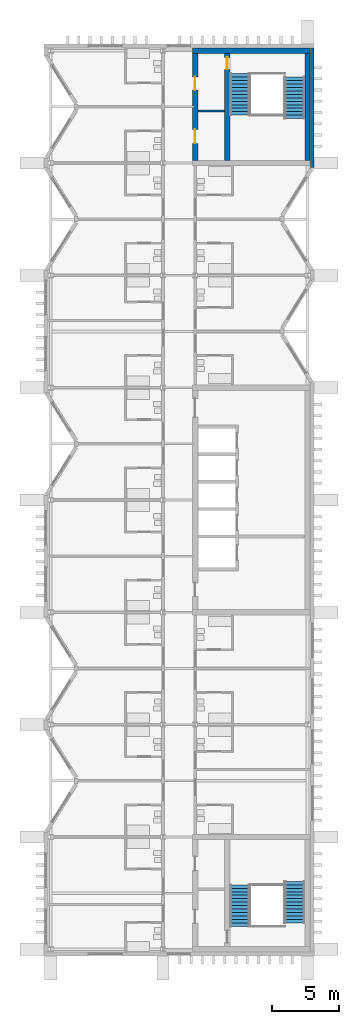
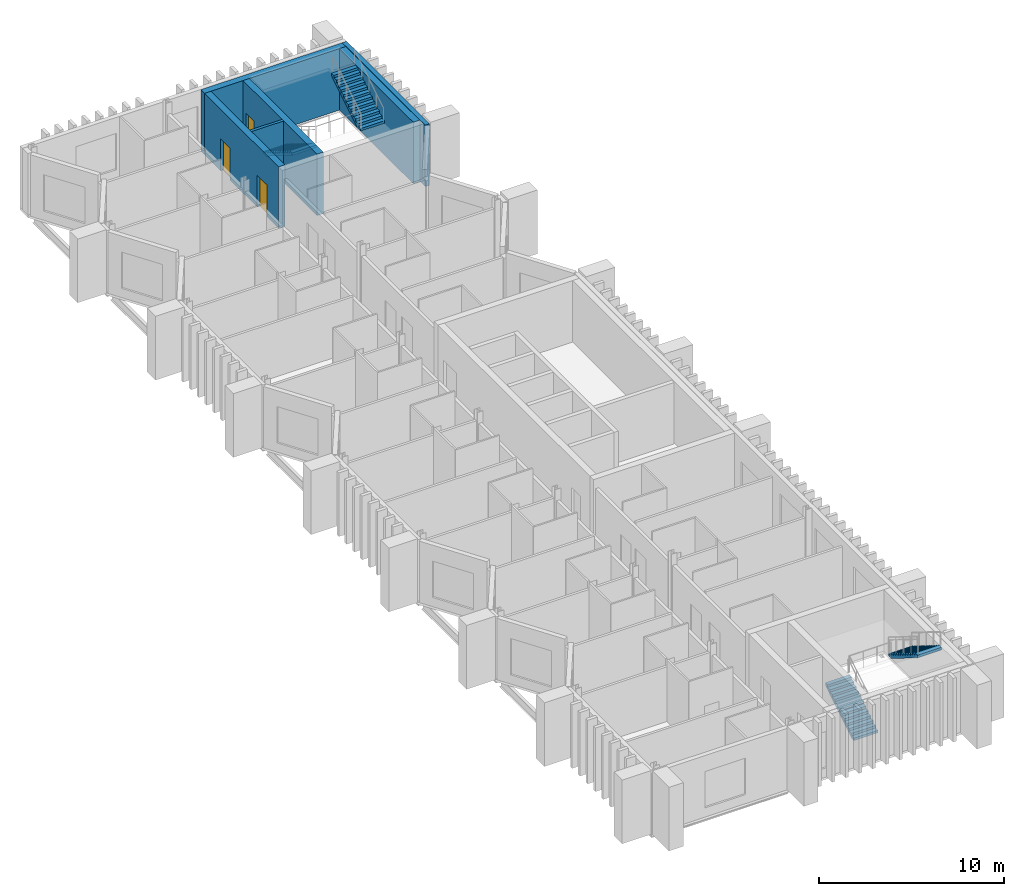
# One storey, part 9 of 11: 6 walls, 4 stair flights, 3 doors, 3 openings, 2 elements without a shape of their own.
"""IFC4 building model written with IfcOpenShell, lengths in metres."""

from ifc_helpers import new_model, si_unit, direction, frame, frame_2d, origin, place, context, subcontext, project, spatial, polyline, rectangle, outline, extrude, material, layer, layer_set, type_object, element, fill, aggregate, save


model = new_model("IFC4")

# Units and contexts
model_context = context("Model", 3, precision=1e-05, world=origin(), true_north=direction((0.0, 1.0)))
body_context = subcontext(model_context, "Body", "Model", "MODEL_VIEW")
ifc_project = project(units=[si_unit("LENGTHUNIT", "METRE"), si_unit("AREAUNIT", "SQUARE_METRE"), si_unit("VOLUMEUNIT", "CUBIC_METRE"), si_unit("PLANEANGLEUNIT", "RADIAN"), si_unit("MASSUNIT", "GRAM", prefix="KILO")], contexts=[model_context])

# Site, building, storey
site_placement = place(None, origin())
site = spatial("IfcSite", under=ifc_project, at=site_placement, CompositionType="ELEMENT")
building_placement = place(site_placement, origin())
building = spatial("IfcBuilding", under=site, at=building_placement, Name="Cresset Court Congress Hotel", CompositionType="ELEMENT")
storey_placement = place(building_placement, frame((0.0, 0.0, 43.800048828125)))
storey = spatial("IfcBuildingStorey", under=building, at=storey_placement, Name="L10", CompositionType="ELEMENT", Elevation=43.800048828125)

# Walls
ifc_material_1 = material(Name="Precast concrete C50", Category="concrete")
ifc_layer_1 = layer(ifc_material_1, 0.280029296875)
ifc_layer_set_1 = layer_set([ifc_layer_1], Name="External wall 280")
wall_type_1 = type_object("IfcWallType", Name="External wall 280", PredefinedType="SOLIDWALL", material=ifc_layer_set_1)
wall_1_placement = place(storey_placement, frame((176.760009765625, 58.449951171875, 0.0), z_axis=(0.0, 0.0, 1.0), x_axis=(0.0, 1.0, 0.0)))
element("IfcWall", 1, at=wall_1_placement, inside=storey, type_object=wall_type_1, Name="A.ew.L10.E.3", PredefinedType="SOLIDWALL", context=body_context, shape_type="SweptSolid", body=[
    extrude(rectangle(XDim=8.969970703125, YDim=0.280029296875, at=frame_2d((4.48486328125, 0.0))), origin(), (0.0, 0.0, 1.0), 4.050048828125),
])
ifc_material_2 = material(Name="Concrete block wall", Category="concrete")
ifc_layer_2 = layer(ifc_material_2, 0.175048828125)
ifc_layer_set_2 = layer_set([ifc_layer_2], Name="Riser shaft wall 175")
wall_type_2 = type_object("IfcWallType", Name="Riser shaft wall 175", PredefinedType="PARTITIONING", material=ifc_layer_set_2)
wall_2_placement = place(storey_placement, frame((168.199951171875, 62.699951171875, 0.0), z_axis=(0.0, 0.0, 1.0), x_axis=(1.0, 0.0, 0.0)))
element("IfcWall", 2, at=wall_2_placement, inside=storey, type_object=wall_type_2, Name="A.wl.L10.085", PredefinedType="PARTITIONING", context=body_context, shape_type="SweptSolid", body=[
    extrude(rectangle(XDim=2.0, YDim=0.175048828125, at=frame_2d((1.0, 0.0))), origin(), (0.0, 0.0, 1.0), 4.050048828125),
])
ifc_material_3 = material(Name="Concrete C50", Category="concrete")
ifc_layer_3 = layer(ifc_material_3, 0.39990234375)
ifc_layer_set_3 = layer_set([ifc_layer_3], Name="Stair core wall 400")
wall_type_3 = type_object("IfcWallType", Name="Stair core wall 400", PredefinedType="SOLIDWALL", material=ifc_layer_set_3)
wall_3_placement = place(storey_placement, frame((167.800048828125, 67.199951171875, 0.0), z_axis=(0.0, 0.0, 1.0), x_axis=(1.0, 0.0, 0.0)))
element("IfcWall", 3, at=wall_3_placement, inside=storey, type_object=wall_type_3, Name="A.cw.ST-A2.L10.N", PredefinedType="SOLIDWALL", context=body_context, shape_type="SweptSolid", body=[
    extrude(rectangle(XDim=8.800048828125, YDim=0.39990234375, at=frame_2d((4.39990234375, 0.0))), origin(), (0.0, 0.0, 1.0), 4.050048828125),
])

# Wall, openings, doors
wall_4_placement = place(storey_placement, frame((168.0, 59.0, 0.0), z_axis=(0.0, 0.0, 1.0), x_axis=(0.0, 1.0, 0.0)))
wall_4 = element("IfcWall", 4, at=wall_4_placement, inside=storey, type_object=wall_type_3, Name="A.cw.ST-A2.L10.W", PredefinedType="SOLIDWALL", context=body_context, shape_type="SweptSolid", body=[
    extrude(rectangle(XDim=8.0, YDim=0.39990234375, at=frame_2d((4.0, 0.0))), origin(), (0.0, 0.0, 1.0), 4.050048828125),
])
opening_1_placement = place(wall_4_placement, frame((5.25, 0.0, 0.0)))
opening_1 = element("IfcOpeningElement", 5, at=opening_1_placement, cuts=wall_4, Name="Opening DA-10-53", PredefinedType="OPENING", context=body_context, shape_type="SweptSolid", body=[
    extrude(rectangle(XDim=1.0, YDim=2.10009765625, at=frame_2d((0.5, 1.050048828125))), frame((0.0, 0.2099609375, 0.0), z_axis=(0.0, -1.0, 0.0), x_axis=(1.0, 0.0, 0.0)), (0.0, 0.0, 1.0), 0.419921875),
])
opening_2_placement = place(wall_4_placement, frame((1.27490234375, 0.0, 0.0)))
opening_2 = element("IfcOpeningElement", 6, at=opening_2_placement, cuts=wall_4, Name="Opening DA-10-54", PredefinedType="OPENING", context=body_context, shape_type="SweptSolid", body=[
    extrude(rectangle(XDim=1.050048828125, YDim=2.10009765625, at=frame_2d((0.52490234375, 1.050048828125))), frame((0.0, 0.2099609375, 0.0), z_axis=(0.0, -1.0, 0.0), x_axis=(1.0, 0.0, 0.0)), (0.0, 0.0, 1.0), 0.419921875),
])
ifc_material_4 = material(Name="steel", Category="steel")
door_type_1 = type_object("IfcDoorType", Name="Housekeeping room door 1050x2100 FD30", OperationType="SINGLE_SWING_LEFT", PredefinedType="DOOR", material=ifc_material_4)
door_1_placement = place(opening_2_placement, origin())
door_1 = element("IfcDoor", 7, at=door_1_placement, inside=storey, type_object=door_type_1, Name="Door DA-10-54", OperationType="SINGLE_SWING_RIGHT", OverallHeight=2.10009765625, OverallWidth=1.050048828125, PredefinedType="DOOR", context=body_context, shape_type="SweptSolid", body=[
    extrude(rectangle(XDim=1.050048828125, YDim=2.10009765625, at=frame_2d((0.52490234375, 1.050048828125))), frame((0.0, 0.02490234375, 0.0), z_axis=(0.0, -1.0, 0.0), x_axis=(1.0, 0.0, 0.0)), (0.0, 0.0, 1.0), 0.050048828125),
])
fill(opening_2, door_1)
ifc_material_5 = material(Name="steel", Category="steel")
door_type_2 = type_object("IfcDoorType", Name="Lobby door 1000x2100 FD60", OperationType="SINGLE_SWING_LEFT", PredefinedType="DOOR", material=ifc_material_5)
door_2_placement = place(opening_1_placement, origin())
door_2 = element("IfcDoor", 8, at=door_2_placement, inside=storey, type_object=door_type_2, Name="Door DA-10-53", OperationType="SINGLE_SWING_LEFT", OverallHeight=2.10009765625, OverallWidth=1.0, PredefinedType="DOOR", context=body_context, shape_type="SweptSolid", body=[
    extrude(rectangle(XDim=1.0, YDim=2.10009765625, at=frame_2d((0.5, 1.050048828125))), frame((0.0, 0.02490234375, 0.0), z_axis=(0.0, -1.0, 0.0), x_axis=(1.0, 0.0, 0.0)), (0.0, 0.0, 1.0), 0.050048828125),
])
fill(opening_1, door_2)

# Wall
wall_5_placement = place(storey_placement, frame((176.39990234375, 59.0, 0.0), z_axis=(0.0, 0.0, 1.0), x_axis=(0.0, 1.0, 0.0)))
element("IfcWall", 9, at=wall_5_placement, inside=storey, type_object=wall_type_3, Name="A.cw.ST-A2.L10.E", PredefinedType="SOLIDWALL", context=body_context, shape_type="SweptSolid", body=[
    extrude(rectangle(XDim=8.0, YDim=0.39990234375, at=frame_2d((4.0, 0.0))), origin(), (0.0, 0.0, 1.0), 4.050048828125),
])

# Wall, opening, door
wall_6_placement = place(storey_placement, frame((170.39990234375, 59.0, 0.0), z_axis=(0.0, 0.0, 1.0), x_axis=(0.0, 1.0, 0.0)))
wall_6 = element("IfcWall", 10, at=wall_6_placement, inside=storey, type_object=wall_type_3, Name="A.wl.L10.084", PredefinedType="SOLIDWALL", context=body_context, shape_type="SweptSolid", body=[
    extrude(rectangle(XDim=8.0, YDim=0.39990234375, at=frame_2d((4.0, 0.0))), origin(), (0.0, 0.0, 1.0), 4.050048828125),
])
opening_3_placement = place(wall_6_placement, frame((6.800048828125, 0.0, 0.0)))
opening_3 = element("IfcOpeningElement", 11, at=opening_3_placement, cuts=wall_6, Name="Opening DA-10-52", PredefinedType="OPENING", context=body_context, shape_type="SweptSolid", body=[
    extrude(rectangle(XDim=0.89990234375, YDim=2.10009765625, at=frame_2d((0.449951171875, 1.050048828125))), frame((0.0, 0.2099609375, 0.0), z_axis=(0.0, -1.0, 0.0), x_axis=(1.0, 0.0, 0.0)), (0.0, 0.0, 1.0), 0.419921875),
])
ifc_material_6 = material(Name="steel", Category="steel")
door_type_3 = type_object("IfcDoorType", Name="Stair door 900x2100 FD60", OperationType="SINGLE_SWING_LEFT", PredefinedType="DOOR", material=ifc_material_6)
door_3_placement = place(opening_3_placement, origin())
door_3 = element("IfcDoor", 12, at=door_3_placement, inside=storey, type_object=door_type_3, Name="Door DA-10-52", OperationType="SINGLE_SWING_RIGHT", OverallHeight=2.10009765625, OverallWidth=0.89990234375, PredefinedType="DOOR", context=body_context, shape_type="SweptSolid", body=[
    extrude(rectangle(XDim=0.89990234375, YDim=2.10009765625, at=frame_2d((0.449951171875, 1.050048828125))), frame((0.0, 0.02490234375, 0.0), z_axis=(0.0, -1.0, 0.0), x_axis=(1.0, 0.0, 0.0)), (0.0, 0.0, 1.0), 0.050048828125),
])
fill(opening_3, door_3)

# Stair, stair flights
ifc_material_7 = material(Name="Concrete C40", Category="concrete")
stair_type = type_object("IfcStairType", Name="Concrete dog-leg stair 5600", PredefinedType="HALF_TURN_STAIR", material=ifc_material_7)
stair_1_placement = place(storey_placement, origin())
stair_1 = element("IfcStair", 13, at=stair_1_placement, inside=storey, type_object=stair_type, Name="Stair A1 L10", PredefinedType="HALF_TURN_STAIR")
ifc_material_8 = material(Name="Concrete C40", Category="concrete")
stair_flight_type = type_object("IfcStairFlightType", Name="Concrete stair flight", PredefinedType="STRAIGHT", material=ifc_material_8)
stair_flight_1_placement = place(storey_placement, frame((171.35009765625, 1.699951171875, 0.0), z_axis=(0.0, 0.0, 1.0), x_axis=(0.0, 1.0, 0.0)))
stair_flight_1 = element("IfcStairFlight", 14, at=stair_flight_1_placement, type_object=stair_flight_type, Name="A-ST1 flight 1", NumberOfRisers=13, NumberOfTreads=12, PredefinedType="STRAIGHT", RiserHeight=0.161538462, TreadLength=0.26, context=body_context, shape_type="SweptSolid", body=[
    extrude(outline(polyline([(0.0, 0.0), (0.0, 0.16162109375), (0.260009765625, 0.16162109375), (0.260009765625, 0.322998046875), (0.52001953125, 0.322998046875), (0.52001953125, 0.484619140625), (0.780029296875, 0.484619140625), (0.780029296875, 0.646240234375), (1.0400390625, 0.646240234375), (1.0400390625, 0.8076171875), (1.300048828125, 0.8076171875), (1.300048828125, 0.96923828125), (1.56005859375, 0.96923828125), (1.56005859375, 1.130859375), (1.820068359375, 1.130859375), (1.820068359375, 1.292236328125), (2.080078125, 1.292236328125), (2.080078125, 1.453857421875), (2.340087890625, 1.453857421875), (2.340087890625, 1.615478515625), (2.60009765625, 1.615478515625), (2.60009765625, 1.77685546875), (2.860107421875, 1.77685546875), (2.860107421875, 1.9384765625), (3.1201171875, 1.9384765625), (3.1201171875, 2.10009765625), (3.1201171875, 1.761962890625), (0.283935546875, 0.0), (0.0, 0.0)])), frame((0.0, 0.75, 0.0), z_axis=(0.0, -1.0, 0.0), x_axis=(1.0, 0.0, 0.0)), (0.0, 0.0, 1.0), 1.5),
])
stair_flight_2_placement = place(storey_placement, frame((175.449951171875, 5.080078125, 2.099853515625), z_axis=(0.0, 0.0, 1.0), x_axis=(0.0, -1.0, 0.0)))
stair_flight_2 = element("IfcStairFlight", 15, at=stair_flight_2_placement, type_object=stair_flight_type, Name="A-ST1 flight 2", NumberOfRisers=13, NumberOfTreads=12, PredefinedType="STRAIGHT", RiserHeight=0.161538462, TreadLength=0.26, context=body_context, shape_type="SweptSolid", body=[
    extrude(outline(polyline([(0.0, 0.0), (0.0, 0.16162109375), (0.260009765625, 0.16162109375), (0.260009765625, 0.322998046875), (0.52001953125, 0.322998046875), (0.52001953125, 0.484619140625), (0.780029296875, 0.484619140625), (0.780029296875, 0.646240234375), (1.0400390625, 0.646240234375), (1.0400390625, 0.8076171875), (1.300048828125, 0.8076171875), (1.300048828125, 0.96923828125), (1.56005859375, 0.96923828125), (1.56005859375, 1.130859375), (1.820068359375, 1.130859375), (1.820068359375, 1.292236328125), (2.080078125, 1.292236328125), (2.080078125, 1.453857421875), (2.340087890625, 1.453857421875), (2.340087890625, 1.615478515625), (2.60009765625, 1.615478515625), (2.60009765625, 1.77685546875), (2.860107421875, 1.77685546875), (2.860107421875, 1.9384765625), (3.1201171875, 1.9384765625), (3.1201171875, 2.10009765625), (3.1201171875, 1.761962890625), (0.283935546875, 0.0), (0.0, 0.0)])), frame((0.0, 0.75, 0.0), z_axis=(0.0, -1.0, 0.0), x_axis=(1.0, 0.0, 0.0)), (0.0, 0.0, 1.0), 1.5),
])
aggregate(stair_1, [stair_flight_1, stair_flight_2])

stair_2_placement = place(storey_placement, origin())
stair_2 = element("IfcStair", 16, at=stair_2_placement, inside=storey, type_object=stair_type, Name="Stair A2 L10", PredefinedType="HALF_TURN_STAIR")
stair_flight_3_placement = place(storey_placement, frame((171.35009765625, 65.5, 0.0), z_axis=(0.0, 0.0, 1.0), x_axis=(0.0, -1.0, 0.0)))
stair_flight_3 = element("IfcStairFlight", 17, at=stair_flight_3_placement, type_object=stair_flight_type, Name="A-ST1 flight 1", NumberOfRisers=13, NumberOfTreads=12, PredefinedType="STRAIGHT", RiserHeight=0.161538462, TreadLength=0.26, context=body_context, shape_type="SweptSolid", body=[
    extrude(outline(polyline([(0.0, 0.0), (0.0, 0.16162109375), (0.260009765625, 0.16162109375), (0.260009765625, 0.322998046875), (0.52001953125, 0.322998046875), (0.52001953125, 0.484619140625), (0.780029296875, 0.484619140625), (0.780029296875, 0.646240234375), (1.0400390625, 0.646240234375), (1.0400390625, 0.8076171875), (1.300048828125, 0.8076171875), (1.300048828125, 0.96923828125), (1.56005859375, 0.96923828125), (1.56005859375, 1.130859375), (1.820068359375, 1.130859375), (1.820068359375, 1.292236328125), (2.080078125, 1.292236328125), (2.080078125, 1.453857421875), (2.340087890625, 1.453857421875), (2.340087890625, 1.615478515625), (2.60009765625, 1.615478515625), (2.60009765625, 1.77685546875), (2.860107421875, 1.77685546875), (2.860107421875, 1.9384765625), (3.1201171875, 1.9384765625), (3.1201171875, 2.10009765625), (3.1201171875, 1.761962890625), (0.283935546875, 0.0), (0.0, 0.0)])), frame((0.0, 0.75, 0.0), z_axis=(0.0, -1.0, 0.0), x_axis=(1.0, 0.0, 0.0)), (0.0, 0.0, 1.0), 1.5),
])
stair_flight_4_placement = place(storey_placement, frame((175.449951171875, 62.1201171875, 2.099853515625), z_axis=(0.0, 0.0, 1.0), x_axis=(0.0, 1.0, 0.0)))
stair_flight_4 = element("IfcStairFlight", 18, at=stair_flight_4_placement, type_object=stair_flight_type, Name="A-ST1 flight 2", NumberOfRisers=13, NumberOfTreads=12, PredefinedType="STRAIGHT", RiserHeight=0.161538462, TreadLength=0.26, context=body_context, shape_type="SweptSolid", body=[
    extrude(outline(polyline([(0.0, 0.0), (0.0, 0.16162109375), (0.260009765625, 0.16162109375), (0.260009765625, 0.322998046875), (0.52001953125, 0.322998046875), (0.52001953125, 0.484619140625), (0.780029296875, 0.484619140625), (0.780029296875, 0.646240234375), (1.0400390625, 0.646240234375), (1.0400390625, 0.8076171875), (1.300048828125, 0.8076171875), (1.300048828125, 0.96923828125), (1.56005859375, 0.96923828125), (1.56005859375, 1.130859375), (1.820068359375, 1.130859375), (1.820068359375, 1.292236328125), (2.080078125, 1.292236328125), (2.080078125, 1.453857421875), (2.340087890625, 1.453857421875), (2.340087890625, 1.615478515625), (2.60009765625, 1.615478515625), (2.60009765625, 1.77685546875), (2.860107421875, 1.77685546875), (2.860107421875, 1.9384765625), (3.1201171875, 1.9384765625), (3.1201171875, 2.10009765625), (3.1201171875, 1.761962890625), (0.283935546875, 0.0), (0.0, 0.0)])), frame((0.0, 0.75, 0.0), z_axis=(0.0, -1.0, 0.0), x_axis=(1.0, 0.0, 0.0)), (0.0, 0.0, 1.0), 1.5),
])
aggregate(stair_2, [stair_flight_3, stair_flight_4])

save(model, "model.ifc")
